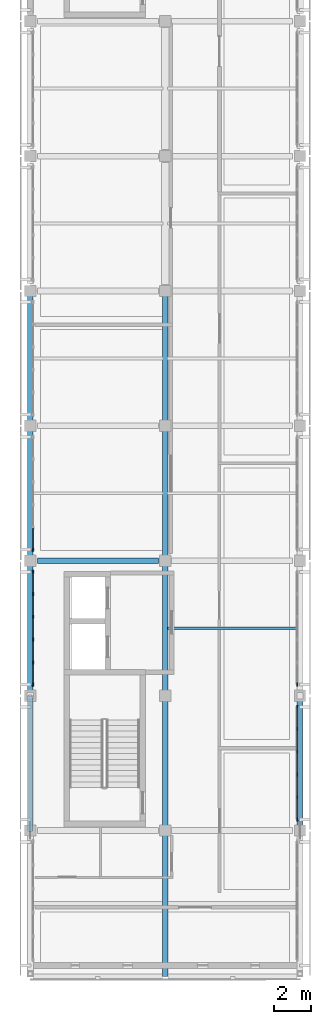
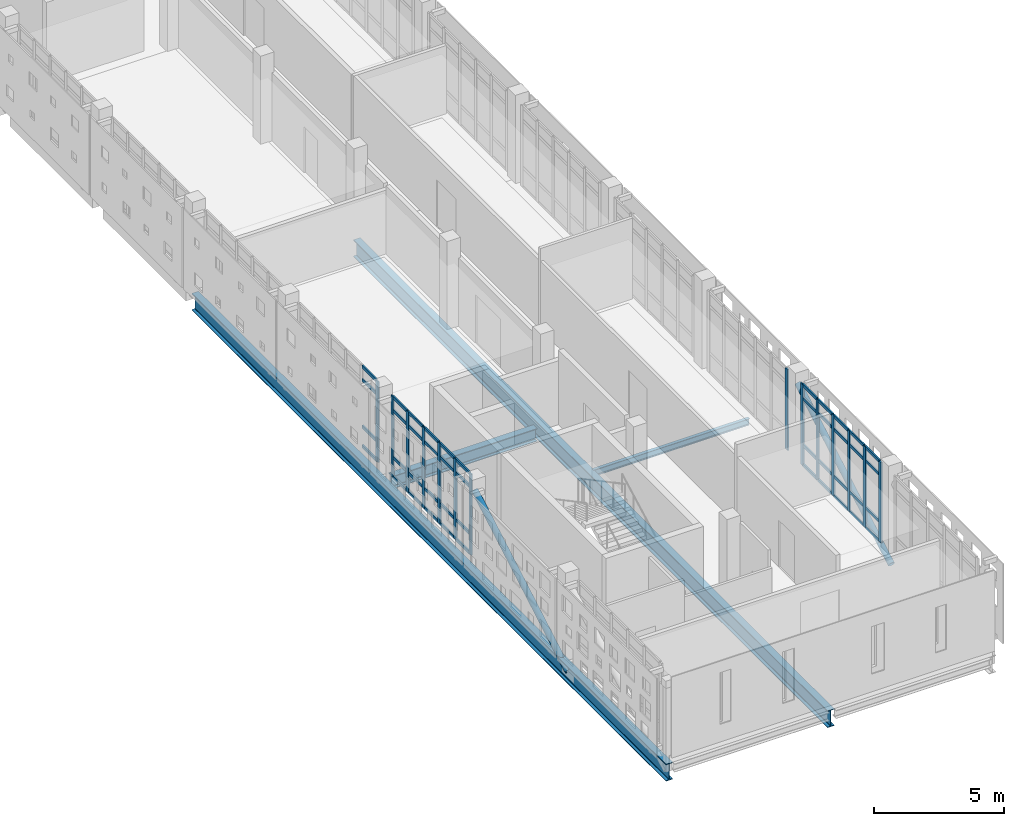
# One storey, part 3 of 21: 60 members, 4 beams, 4 elements without a shape of their own.
"""IFC4 building model written with IfcOpenShell, lengths in metres."""

from ifc_helpers import new_model, si_unit, direction, frame, origin, origin_2d, place, context, subcontext, project, spatial, rectangle, hollow_circle, i_section, extrude, material, layer, layer_set, material_profile, profile_set, type_object, element, aggregate, save


model = new_model("IFC4")

# Units and contexts
model_context = context("Model", 3, precision=1e-05, world=origin(), true_north=direction((0.0, 1.0)))
body_context = subcontext(model_context, "Body", "Model", "MODEL_VIEW")
ifc_project = project(units=[si_unit("LENGTHUNIT", "METRE"), si_unit("AREAUNIT", "SQUARE_METRE"), si_unit("VOLUMEUNIT", "CUBIC_METRE"), si_unit("PLANEANGLEUNIT", "RADIAN"), si_unit("MASSUNIT", "GRAM", prefix="KILO")], contexts=[model_context])

# Site, building, storey
site_placement = place(None, origin())
site = spatial("IfcSite", under=ifc_project, at=site_placement, CompositionType="ELEMENT")
building_placement = place(site_placement, origin())
building = spatial("IfcBuilding", under=site, at=building_placement, Name="Valkovuoma Quantum and Materials Research Institute", CompositionType="ELEMENT")
storey_placement = place(building_placement, frame((0.0, 0.0, 29.760009765625)))
storey = spatial("IfcBuildingStorey", under=building, at=storey_placement, Name="L07", CompositionType="ELEMENT", Elevation=29.760009765625)

# Beams
ifc_material_1 = material(Name="Steel S355J2", Category="steel")
ifc_material_profile_1 = material_profile(ifc_material_1, i_section(OverallWidth=0.300048828125, OverallDepth=0.60009765625, WebThickness=0.015380859375, FlangeThickness=0.030029296875, FilletRadius=0.027099609375, at=origin_2d()), Name="Steel S355J2")
ifc_profile_set_1 = profile_set([ifc_material_profile_1], Name="Steel S355J2")
beam_type_1 = type_object("IfcBeamType", Name="Beam-B-HEB600", PredefinedType="BEAM", material=ifc_profile_set_1)
beam_1_placement = place(storey_placement, frame((0.39990234375, 43.199951171875, -0.64990234375), z_axis=(1.0, 0.0, 0.0), x_axis=(0.0, 1.0, 0.0)))
element("IfcBeam", 1, at=beam_1_placement, inside=storey, type_object=beam_type_1, Name="L07 beam X-2494", PredefinedType="BEAM", context=body_context, shape_type="SweptSolid", body=[
    extrude(i_section(OverallWidth=0.300048828125, OverallDepth=0.60009765625, WebThickness=0.015380859375, FlangeThickness=0.030029296875, FilletRadius=0.027099609375, at=origin_2d()), origin(), (0.0, 0.0, 1.0), 6.4501953125),
])
ifc_material_2 = material(Name="Steel S355J2", Category="steel")
ifc_material_profile_2 = material_profile(ifc_material_2, i_section(OverallWidth=0.300048828125, OverallDepth=0.800048828125, WebThickness=0.017578125, FlangeThickness=0.032958984375, FilletRadius=0.030029296875, at=origin_2d()), Name="Steel S355J2")
ifc_profile_set_2 = profile_set([ifc_material_profile_2], Name="Steel S355J2")
beam_type_2 = type_object("IfcBeamType", Name="Beam-B-HEB800", PredefinedType="BEAM", material=ifc_profile_set_2)
for number, where, z_axis, x_axis, name in (
    (2, (0.0, 21.0, -0.75), (0.0, 1.0, 0.0), (-1.0, 0.0, 0.0), "L07 cantilever girder X0"),
    (3, (7.199951171875, 21.0, -0.75), (0.0, 1.0, 0.0), (-1.0, 0.0, 0.0), "L07 cantilever girder X1"),
):
    element("IfcBeam", number, at=place(storey_placement, frame(where, z_axis=z_axis, x_axis=x_axis)), inside=storey, type_object=beam_type_2, Name=name, PredefinedType="BEAM", context=body_context, shape_type="SweptSolid", body=[
        extrude(i_section(OverallWidth=0.300048828125, OverallDepth=0.800048828125, WebThickness=0.017578125, FlangeThickness=0.032958984375, FilletRadius=0.030029296875, at=origin_2d()), origin(), (0.0, 0.0, 1.0), 36.60009765625),
    ])
ifc_material_3 = material(Name="Steel S355J2", Category="steel")
ifc_material_profile_3 = material_profile(ifc_material_3, i_section(OverallWidth=0.14990234375, OverallDepth=0.300048828125, WebThickness=0.007080078125, FlangeThickness=0.0107421875, FilletRadius=0.014892578125, at=origin_2d()), Name="Steel S355J2")
ifc_profile_set_3 = profile_set([ifc_material_profile_3], Name="Steel S355J2")
beam_type_3 = type_object("IfcBeamType", Name="Beam-B-JST300", PredefinedType="JOIST", material=ifc_profile_set_3)
beam_2_placement = place(storey_placement, frame((7.320068359375, 39.60009765625, -0.5), z_axis=(1.0, 0.0, 0.0), x_axis=(0.0, 1.0, 0.0)))
element("IfcBeam", 4, at=beam_2_placement, inside=storey, type_object=beam_type_3, Name="L07 floor joist 2521", PredefinedType="JOIST", context=body_context, shape_type="SweptSolid", body=[
    extrude(i_section(OverallWidth=0.14990234375, OverallDepth=0.300048828125, WebThickness=0.007080078125, FlangeThickness=0.0107421875, FilletRadius=0.014892578125, at=origin_2d()), origin(), (0.0, 0.0, 1.0), 6.9599609375),
])

# Curtain wall, members
ifc_material_4 = material(Name="Thermally broken aluminium and triple low-E glazing", Category="aluminium")
ifc_layer = layer(ifc_material_4, 0.219970703125)
ifc_layer_set = layer_set([ifc_layer], Name="Thermally broken aluminium and triple low-E glazing")
curtain_wall_type = type_object("IfcCurtainWallType", Name="CW-CW-01", PredefinedType="NOTDEFINED", material=ifc_layer_set)
curtain_wall_1_placement = place(storey_placement, origin())
curtain_wall_1 = element("IfcCurtainWall", 5, at=curtain_wall_1_placement, inside=storey, type_object=curtain_wall_type, Name="L07 curtain wall 093", PredefinedType="NOTDEFINED")
ifc_material_5 = material(Name="Anodised aluminium 6060-T66", Category="aluminium")
ifc_material_profile_4 = material_profile(ifc_material_5, rectangle(XDim=0.06494140625, YDim=0.179931640625, at=origin_2d()), Name="Anodised aluminium 6060-T66")
ifc_profile_set_4 = profile_set([ifc_material_profile_4], Name="Anodised aluminium 6060-T66")
member_type_1 = type_object("IfcMemberType", Name="CWMull-CWM-01", PredefinedType="MULLION", material=ifc_profile_set_4)
member_1_placement = place(storey_placement, frame((14.25, 29.3896484375, 0.0), z_axis=(0.0, 0.0, 1.0), x_axis=(-1.0, 0.0, 0.0)))
member_1 = element("IfcMember", 6, at=member_1_placement, type_object=member_type_1, Name="CW-01 mullion 1", PredefinedType="MULLION", context=body_context, shape_type="SweptSolid", body=[
    extrude(rectangle(XDim=0.06494140625, YDim=0.179931640625, at=origin_2d()), origin(), (0.0, 0.0, 1.0), 3.81005859375),
])
member_2_placement = place(storey_placement, frame((14.25, 30.57421875, 0.0), z_axis=(0.0, 0.0, 1.0), x_axis=(-1.0, 0.0, 0.0)))
member_2 = element("IfcMember", 7, at=member_2_placement, type_object=member_type_1, Name="CW-01 mullion 2", PredefinedType="MULLION", context=body_context, shape_type="SweptSolid", body=[
    extrude(rectangle(XDim=0.06494140625, YDim=0.179931640625, at=origin_2d()), origin(), (0.0, 0.0, 1.0), 3.81005859375),
])
member_3_placement = place(storey_placement, frame((14.25, 31.79150390625, 0.0), z_axis=(0.0, 0.0, 1.0), x_axis=(-1.0, 0.0, 0.0)))
member_3 = element("IfcMember", 8, at=member_3_placement, type_object=member_type_1, Name="CW-01 mullion 3", PredefinedType="MULLION", context=body_context, shape_type="SweptSolid", body=[
    extrude(rectangle(XDim=0.06494140625, YDim=0.179931640625, at=origin_2d()), origin(), (0.0, 0.0, 1.0), 3.81005859375),
])
member_4_placement = place(storey_placement, frame((14.25, 33.008544921875, 0.0), z_axis=(0.0, 0.0, 1.0), x_axis=(-1.0, 0.0, 0.0)))
member_4 = element("IfcMember", 9, at=member_4_placement, type_object=member_type_1, Name="CW-01 mullion 4", PredefinedType="MULLION", context=body_context, shape_type="SweptSolid", body=[
    extrude(rectangle(XDim=0.06494140625, YDim=0.179931640625, at=origin_2d()), origin(), (0.0, 0.0, 1.0), 3.81005859375),
])
member_5_placement = place(storey_placement, frame((14.25, 34.225830078125, 0.0), z_axis=(0.0, 0.0, 1.0), x_axis=(-1.0, 0.0, 0.0)))
member_5 = element("IfcMember", 10, at=member_5_placement, type_object=member_type_1, Name="CW-01 mullion 5", PredefinedType="MULLION", context=body_context, shape_type="SweptSolid", body=[
    extrude(rectangle(XDim=0.06494140625, YDim=0.179931640625, at=origin_2d()), origin(), (0.0, 0.0, 1.0), 3.81005859375),
])
member_6_placement = place(storey_placement, frame((14.25, 35.410400390625, 0.0), z_axis=(0.0, 0.0, 1.0), x_axis=(-1.0, 0.0, 0.0)))
member_6 = element("IfcMember", 11, at=member_6_placement, type_object=member_type_1, Name="CW-01 mullion 6", PredefinedType="MULLION", context=body_context, shape_type="SweptSolid", body=[
    extrude(rectangle(XDim=0.06494140625, YDim=0.179931640625, at=origin_2d()), origin(), (0.0, 0.0, 1.0), 3.81005859375),
])

curtain_wall_2_placement = place(storey_placement, origin())
curtain_wall_2 = element("IfcCurtainWall", 12, at=curtain_wall_2_placement, inside=storey, type_object=curtain_wall_type, Name="L07 curtain wall 094", PredefinedType="NOTDEFINED")
member_7_placement = place(storey_placement, frame((0.14990234375, 36.589599609375, 0.0), z_axis=(0.0, 0.0, 1.0), x_axis=(-1.0, 0.0, 0.0)))
member_7 = element("IfcMember", 13, at=member_7_placement, type_object=member_type_1, Name="CW-01 mullion 1", PredefinedType="MULLION", context=body_context, shape_type="SweptSolid", body=[
    extrude(rectangle(XDim=0.06494140625, YDim=0.179931640625, at=origin_2d()), origin(), (0.0, 0.0, 1.0), 3.81005859375),
])
member_8_placement = place(storey_placement, frame((0.14990234375, 37.774169921875, 0.0), z_axis=(0.0, 0.0, 1.0), x_axis=(-1.0, 0.0, 0.0)))
member_8 = element("IfcMember", 14, at=member_8_placement, type_object=member_type_1, Name="CW-01 mullion 2", PredefinedType="MULLION", context=body_context, shape_type="SweptSolid", body=[
    extrude(rectangle(XDim=0.06494140625, YDim=0.179931640625, at=origin_2d()), origin(), (0.0, 0.0, 1.0), 3.81005859375),
])
member_9_placement = place(storey_placement, frame((0.14990234375, 38.991455078125, 0.0), z_axis=(0.0, 0.0, 1.0), x_axis=(-1.0, 0.0, 0.0)))
member_9 = element("IfcMember", 15, at=member_9_placement, type_object=member_type_1, Name="CW-01 mullion 3", PredefinedType="MULLION", context=body_context, shape_type="SweptSolid", body=[
    extrude(rectangle(XDim=0.06494140625, YDim=0.179931640625, at=origin_2d()), origin(), (0.0, 0.0, 1.0), 3.81005859375),
])
member_10_placement = place(storey_placement, frame((0.14990234375, 40.20849609375, 0.0), z_axis=(0.0, 0.0, 1.0), x_axis=(-1.0, 0.0, 0.0)))
member_10 = element("IfcMember", 16, at=member_10_placement, type_object=member_type_1, Name="CW-01 mullion 4", PredefinedType="MULLION", context=body_context, shape_type="SweptSolid", body=[
    extrude(rectangle(XDim=0.06494140625, YDim=0.179931640625, at=origin_2d()), origin(), (0.0, 0.0, 1.0), 3.81005859375),
])
member_11_placement = place(storey_placement, frame((0.14990234375, 41.42578125, 0.0), z_axis=(0.0, 0.0, 1.0), x_axis=(-1.0, 0.0, 0.0)))
member_11 = element("IfcMember", 17, at=member_11_placement, type_object=member_type_1, Name="CW-01 mullion 5", PredefinedType="MULLION", context=body_context, shape_type="SweptSolid", body=[
    extrude(rectangle(XDim=0.06494140625, YDim=0.179931640625, at=origin_2d()), origin(), (0.0, 0.0, 1.0), 3.81005859375),
])
member_12_placement = place(storey_placement, frame((0.14990234375, 42.6103515625, 0.0), z_axis=(0.0, 0.0, 1.0), x_axis=(-1.0, 0.0, 0.0)))
member_12 = element("IfcMember", 18, at=member_12_placement, type_object=member_type_1, Name="CW-01 mullion 6", PredefinedType="MULLION", context=body_context, shape_type="SweptSolid", body=[
    extrude(rectangle(XDim=0.06494140625, YDim=0.179931640625, at=origin_2d()), origin(), (0.0, 0.0, 1.0), 3.81005859375),
])

# Curtain wall, member
curtain_wall_3_placement = place(storey_placement, origin())
curtain_wall_3 = element("IfcCurtainWall", 19, at=curtain_wall_3_placement, inside=storey, type_object=curtain_wall_type, Name="L07 curtain wall 095", PredefinedType="NOTDEFINED")
member_13_placement = place(storey_placement, frame((14.25, 36.589599609375, 0.0), z_axis=(0.0, 0.0, 1.0), x_axis=(-1.0, 0.0, 0.0)))
member_13 = element("IfcMember", 20, at=member_13_placement, type_object=member_type_1, Name="CW-01 mullion 1", PredefinedType="MULLION", context=body_context, shape_type="SweptSolid", body=[
    extrude(rectangle(XDim=0.06494140625, YDim=0.179931640625, at=origin_2d()), origin(), (0.0, 0.0, 1.0), 3.81005859375),
])
aggregate(curtain_wall_3, [member_13])

curtain_wall_4_placement = place(storey_placement, origin())
curtain_wall_4 = element("IfcCurtainWall", 21, at=curtain_wall_4_placement, inside=storey, type_object=curtain_wall_type, Name="L07 curtain wall 096", PredefinedType="NOTDEFINED")
member_14_placement = place(storey_placement, frame((0.14990234375, 43.78955078125, 0.0), z_axis=(0.0, 0.0, 1.0), x_axis=(-1.0, 0.0, 0.0)))
member_14 = element("IfcMember", 22, at=member_14_placement, type_object=member_type_1, Name="CW-01 mullion 1", PredefinedType="MULLION", context=body_context, shape_type="SweptSolid", body=[
    extrude(rectangle(XDim=0.06494140625, YDim=0.179931640625, at=origin_2d()), origin(), (0.0, 0.0, 1.0), 3.81005859375),
])

# Member
ifc_material_6 = material(Name="Anodised aluminium 6060-T66", Category="aluminium")
ifc_material_profile_5 = material_profile(ifc_material_6, rectangle(XDim=0.06494140625, YDim=0.139892578125, at=origin_2d()), Name="Anodised aluminium 6060-T66")
ifc_profile_set_5 = profile_set([ifc_material_profile_5], Name="Anodised aluminium 6060-T66")
member_type_2 = type_object("IfcMemberType", Name="CWTran-CWT-01", PredefinedType="USERDEFINED", material=ifc_profile_set_5)
member_15_placement = place(storey_placement, frame((14.25, 29.422119140625, 0.032470703125), z_axis=(0.0, 1.0, 0.0), x_axis=(-1.0, 0.0, 0.0)))
member_15 = element("IfcMember", 23, at=member_15_placement, type_object=member_type_2, Name="CW-01 transom 1.1", ObjectType="TRANSOM", PredefinedType="USERDEFINED", context=body_context, shape_type="SweptSolid", body=[
    extrude(rectangle(XDim=0.06494140625, YDim=0.139892578125, at=origin_2d()), origin(), (0.0, 0.0, 1.0), 1.11962890625),
])

member_16_placement = place(storey_placement, frame((14.25, 29.422119140625, 0.949951171875), z_axis=(0.0, 1.0, 0.0), x_axis=(-1.0, 0.0, 0.0)))
member_16 = element("IfcMember", 24, at=member_16_placement, type_object=member_type_2, Name="CW-01 transom 1.2", ObjectType="TRANSOM", PredefinedType="USERDEFINED", context=body_context, shape_type="SweptSolid", body=[
    extrude(rectangle(XDim=0.06494140625, YDim=0.139892578125, at=origin_2d()), origin(), (0.0, 0.0, 1.0), 1.11962890625),
])

member_17_placement = place(storey_placement, frame((14.25, 29.422119140625, 3.159912109375), z_axis=(0.0, 1.0, 0.0), x_axis=(-1.0, 0.0, 0.0)))
member_17 = element("IfcMember", 25, at=member_17_placement, type_object=member_type_2, Name="CW-01 transom 1.3", ObjectType="TRANSOM", PredefinedType="USERDEFINED", context=body_context, shape_type="SweptSolid", body=[
    extrude(rectangle(XDim=0.06494140625, YDim=0.139892578125, at=origin_2d()), origin(), (0.0, 0.0, 1.0), 1.11962890625),
])

member_18_placement = place(storey_placement, frame((14.25, 29.422119140625, 3.777587890625), z_axis=(0.0, 1.0, 0.0), x_axis=(-1.0, 0.0, 0.0)))
member_18 = element("IfcMember", 26, at=member_18_placement, type_object=member_type_2, Name="CW-01 transom 1.4", ObjectType="TRANSOM", PredefinedType="USERDEFINED", context=body_context, shape_type="SweptSolid", body=[
    extrude(rectangle(XDim=0.06494140625, YDim=0.139892578125, at=origin_2d()), origin(), (0.0, 0.0, 1.0), 1.11962890625),
])

member_19_placement = place(storey_placement, frame((14.25, 30.606689453125, 0.032470703125), z_axis=(0.0, 1.0, 0.0), x_axis=(-1.0, 0.0, 0.0)))
member_19 = element("IfcMember", 27, at=member_19_placement, type_object=member_type_2, Name="CW-01 transom 2.1", ObjectType="TRANSOM", PredefinedType="USERDEFINED", context=body_context, shape_type="SweptSolid", body=[
    extrude(rectangle(XDim=0.06494140625, YDim=0.139892578125, at=origin_2d()), origin(), (0.0, 0.0, 1.0), 1.15234375),
])

member_20_placement = place(storey_placement, frame((14.25, 30.606689453125, 0.949951171875), z_axis=(0.0, 1.0, 0.0), x_axis=(-1.0, 0.0, 0.0)))
member_20 = element("IfcMember", 28, at=member_20_placement, type_object=member_type_2, Name="CW-01 transom 2.2", ObjectType="TRANSOM", PredefinedType="USERDEFINED", context=body_context, shape_type="SweptSolid", body=[
    extrude(rectangle(XDim=0.06494140625, YDim=0.139892578125, at=origin_2d()), origin(), (0.0, 0.0, 1.0), 1.15234375),
])

member_21_placement = place(storey_placement, frame((14.25, 30.606689453125, 3.159912109375), z_axis=(0.0, 1.0, 0.0), x_axis=(-1.0, 0.0, 0.0)))
member_21 = element("IfcMember", 29, at=member_21_placement, type_object=member_type_2, Name="CW-01 transom 2.3", ObjectType="TRANSOM", PredefinedType="USERDEFINED", context=body_context, shape_type="SweptSolid", body=[
    extrude(rectangle(XDim=0.06494140625, YDim=0.139892578125, at=origin_2d()), origin(), (0.0, 0.0, 1.0), 1.15234375),
])

member_22_placement = place(storey_placement, frame((14.25, 30.606689453125, 3.777587890625), z_axis=(0.0, 1.0, 0.0), x_axis=(-1.0, 0.0, 0.0)))
member_22 = element("IfcMember", 30, at=member_22_placement, type_object=member_type_2, Name="CW-01 transom 2.4", ObjectType="TRANSOM", PredefinedType="USERDEFINED", context=body_context, shape_type="SweptSolid", body=[
    extrude(rectangle(XDim=0.06494140625, YDim=0.139892578125, at=origin_2d()), origin(), (0.0, 0.0, 1.0), 1.15234375),
])

member_23_placement = place(storey_placement, frame((14.25, 31.823974609375, 0.032470703125), z_axis=(0.0, 1.0, 0.0), x_axis=(-1.0, 0.0, 0.0)))
member_23 = element("IfcMember", 31, at=member_23_placement, type_object=member_type_2, Name="CW-01 transom 3.1", ObjectType="TRANSOM", PredefinedType="USERDEFINED", context=body_context, shape_type="SweptSolid", body=[
    extrude(rectangle(XDim=0.06494140625, YDim=0.139892578125, at=origin_2d()), origin(), (0.0, 0.0, 1.0), 1.152099609375),
])

member_24_placement = place(storey_placement, frame((14.25, 31.823974609375, 0.949951171875), z_axis=(0.0, 1.0, 0.0), x_axis=(-1.0, 0.0, 0.0)))
member_24 = element("IfcMember", 32, at=member_24_placement, type_object=member_type_2, Name="CW-01 transom 3.2", ObjectType="TRANSOM", PredefinedType="USERDEFINED", context=body_context, shape_type="SweptSolid", body=[
    extrude(rectangle(XDim=0.06494140625, YDim=0.139892578125, at=origin_2d()), origin(), (0.0, 0.0, 1.0), 1.152099609375),
])

member_25_placement = place(storey_placement, frame((14.25, 31.823974609375, 3.159912109375), z_axis=(0.0, 1.0, 0.0), x_axis=(-1.0, 0.0, 0.0)))
member_25 = element("IfcMember", 33, at=member_25_placement, type_object=member_type_2, Name="CW-01 transom 3.3", ObjectType="TRANSOM", PredefinedType="USERDEFINED", context=body_context, shape_type="SweptSolid", body=[
    extrude(rectangle(XDim=0.06494140625, YDim=0.139892578125, at=origin_2d()), origin(), (0.0, 0.0, 1.0), 1.152099609375),
])

member_26_placement = place(storey_placement, frame((14.25, 31.823974609375, 3.777587890625), z_axis=(0.0, 1.0, 0.0), x_axis=(-1.0, 0.0, 0.0)))
member_26 = element("IfcMember", 34, at=member_26_placement, type_object=member_type_2, Name="CW-01 transom 3.4", ObjectType="TRANSOM", PredefinedType="USERDEFINED", context=body_context, shape_type="SweptSolid", body=[
    extrude(rectangle(XDim=0.06494140625, YDim=0.139892578125, at=origin_2d()), origin(), (0.0, 0.0, 1.0), 1.152099609375),
])

member_27_placement = place(storey_placement, frame((14.25, 33.041015625, 0.032470703125), z_axis=(0.0, 1.0, 0.0), x_axis=(-1.0, 0.0, 0.0)))
member_27 = element("IfcMember", 35, at=member_27_placement, type_object=member_type_2, Name="CW-01 transom 4.1", ObjectType="TRANSOM", PredefinedType="USERDEFINED", context=body_context, shape_type="SweptSolid", body=[
    extrude(rectangle(XDim=0.06494140625, YDim=0.139892578125, at=origin_2d()), origin(), (0.0, 0.0, 1.0), 1.15234375),
])

member_28_placement = place(storey_placement, frame((14.25, 33.041015625, 0.949951171875), z_axis=(0.0, 1.0, 0.0), x_axis=(-1.0, 0.0, 0.0)))
member_28 = element("IfcMember", 36, at=member_28_placement, type_object=member_type_2, Name="CW-01 transom 4.2", ObjectType="TRANSOM", PredefinedType="USERDEFINED", context=body_context, shape_type="SweptSolid", body=[
    extrude(rectangle(XDim=0.06494140625, YDim=0.139892578125, at=origin_2d()), origin(), (0.0, 0.0, 1.0), 1.15234375),
])

member_29_placement = place(storey_placement, frame((14.25, 33.041015625, 3.159912109375), z_axis=(0.0, 1.0, 0.0), x_axis=(-1.0, 0.0, 0.0)))
member_29 = element("IfcMember", 37, at=member_29_placement, type_object=member_type_2, Name="CW-01 transom 4.3", ObjectType="TRANSOM", PredefinedType="USERDEFINED", context=body_context, shape_type="SweptSolid", body=[
    extrude(rectangle(XDim=0.06494140625, YDim=0.139892578125, at=origin_2d()), origin(), (0.0, 0.0, 1.0), 1.15234375),
])

member_30_placement = place(storey_placement, frame((14.25, 33.041015625, 3.777587890625), z_axis=(0.0, 1.0, 0.0), x_axis=(-1.0, 0.0, 0.0)))
member_30 = element("IfcMember", 38, at=member_30_placement, type_object=member_type_2, Name="CW-01 transom 4.4", ObjectType="TRANSOM", PredefinedType="USERDEFINED", context=body_context, shape_type="SweptSolid", body=[
    extrude(rectangle(XDim=0.06494140625, YDim=0.139892578125, at=origin_2d()), origin(), (0.0, 0.0, 1.0), 1.15234375),
])

member_31_placement = place(storey_placement, frame((14.25, 34.25830078125, 0.032470703125), z_axis=(0.0, 1.0, 0.0), x_axis=(-1.0, 0.0, 0.0)))
member_31 = element("IfcMember", 39, at=member_31_placement, type_object=member_type_2, Name="CW-01 transom 5.1", ObjectType="TRANSOM", PredefinedType="USERDEFINED", context=body_context, shape_type="SweptSolid", body=[
    extrude(rectangle(XDim=0.06494140625, YDim=0.139892578125, at=origin_2d()), origin(), (0.0, 0.0, 1.0), 1.11962890625),
])

member_32_placement = place(storey_placement, frame((14.25, 34.25830078125, 0.949951171875), z_axis=(0.0, 1.0, 0.0), x_axis=(-1.0, 0.0, 0.0)))
member_32 = element("IfcMember", 40, at=member_32_placement, type_object=member_type_2, Name="CW-01 transom 5.2", ObjectType="TRANSOM", PredefinedType="USERDEFINED", context=body_context, shape_type="SweptSolid", body=[
    extrude(rectangle(XDim=0.06494140625, YDim=0.139892578125, at=origin_2d()), origin(), (0.0, 0.0, 1.0), 1.11962890625),
])

member_33_placement = place(storey_placement, frame((14.25, 34.25830078125, 3.159912109375), z_axis=(0.0, 1.0, 0.0), x_axis=(-1.0, 0.0, 0.0)))
member_33 = element("IfcMember", 41, at=member_33_placement, type_object=member_type_2, Name="CW-01 transom 5.3", ObjectType="TRANSOM", PredefinedType="USERDEFINED", context=body_context, shape_type="SweptSolid", body=[
    extrude(rectangle(XDim=0.06494140625, YDim=0.139892578125, at=origin_2d()), origin(), (0.0, 0.0, 1.0), 1.11962890625),
])

member_34_placement = place(storey_placement, frame((14.25, 34.25830078125, 3.777587890625), z_axis=(0.0, 1.0, 0.0), x_axis=(-1.0, 0.0, 0.0)))
member_34 = element("IfcMember", 42, at=member_34_placement, type_object=member_type_2, Name="CW-01 transom 5.4", ObjectType="TRANSOM", PredefinedType="USERDEFINED", context=body_context, shape_type="SweptSolid", body=[
    extrude(rectangle(XDim=0.06494140625, YDim=0.139892578125, at=origin_2d()), origin(), (0.0, 0.0, 1.0), 1.11962890625),
])

aggregate(curtain_wall_1, [member_1, member_2, member_3, member_4, member_5, member_6, member_15, member_16, member_17, member_18, member_19, member_20, member_21, member_22, member_23, member_24, member_25, member_26, member_27, member_28, member_29, member_30, member_31, member_32, member_33, member_34])

member_35_placement = place(storey_placement, frame((0.14990234375, 36.6220703125, 0.032470703125), z_axis=(0.0, 1.0, 0.0), x_axis=(-1.0, 0.0, 0.0)))
member_35 = element("IfcMember", 43, at=member_35_placement, type_object=member_type_2, Name="CW-01 transom 1.1", ObjectType="TRANSOM", PredefinedType="USERDEFINED", context=body_context, shape_type="SweptSolid", body=[
    extrude(rectangle(XDim=0.06494140625, YDim=0.139892578125, at=origin_2d()), origin(), (0.0, 0.0, 1.0), 1.11962890625),
])

member_36_placement = place(storey_placement, frame((0.14990234375, 36.6220703125, 0.949951171875), z_axis=(0.0, 1.0, 0.0), x_axis=(-1.0, 0.0, 0.0)))
member_36 = element("IfcMember", 44, at=member_36_placement, type_object=member_type_2, Name="CW-01 transom 1.2", ObjectType="TRANSOM", PredefinedType="USERDEFINED", context=body_context, shape_type="SweptSolid", body=[
    extrude(rectangle(XDim=0.06494140625, YDim=0.139892578125, at=origin_2d()), origin(), (0.0, 0.0, 1.0), 1.11962890625),
])

member_37_placement = place(storey_placement, frame((0.14990234375, 36.6220703125, 3.159912109375), z_axis=(0.0, 1.0, 0.0), x_axis=(-1.0, 0.0, 0.0)))
member_37 = element("IfcMember", 45, at=member_37_placement, type_object=member_type_2, Name="CW-01 transom 1.3", ObjectType="TRANSOM", PredefinedType="USERDEFINED", context=body_context, shape_type="SweptSolid", body=[
    extrude(rectangle(XDim=0.06494140625, YDim=0.139892578125, at=origin_2d()), origin(), (0.0, 0.0, 1.0), 1.11962890625),
])

member_38_placement = place(storey_placement, frame((0.14990234375, 36.6220703125, 3.777587890625), z_axis=(0.0, 1.0, 0.0), x_axis=(-1.0, 0.0, 0.0)))
member_38 = element("IfcMember", 46, at=member_38_placement, type_object=member_type_2, Name="CW-01 transom 1.4", ObjectType="TRANSOM", PredefinedType="USERDEFINED", context=body_context, shape_type="SweptSolid", body=[
    extrude(rectangle(XDim=0.06494140625, YDim=0.139892578125, at=origin_2d()), origin(), (0.0, 0.0, 1.0), 1.11962890625),
])

member_39_placement = place(storey_placement, frame((0.14990234375, 37.806640625, 0.032470703125), z_axis=(0.0, 1.0, 0.0), x_axis=(-1.0, 0.0, 0.0)))
member_39 = element("IfcMember", 47, at=member_39_placement, type_object=member_type_2, Name="CW-01 transom 2.1", ObjectType="TRANSOM", PredefinedType="USERDEFINED", context=body_context, shape_type="SweptSolid", body=[
    extrude(rectangle(XDim=0.06494140625, YDim=0.139892578125, at=origin_2d()), origin(), (0.0, 0.0, 1.0), 1.15234375),
])

member_40_placement = place(storey_placement, frame((0.14990234375, 37.806640625, 0.949951171875), z_axis=(0.0, 1.0, 0.0), x_axis=(-1.0, 0.0, 0.0)))
member_40 = element("IfcMember", 48, at=member_40_placement, type_object=member_type_2, Name="CW-01 transom 2.2", ObjectType="TRANSOM", PredefinedType="USERDEFINED", context=body_context, shape_type="SweptSolid", body=[
    extrude(rectangle(XDim=0.06494140625, YDim=0.139892578125, at=origin_2d()), origin(), (0.0, 0.0, 1.0), 1.15234375),
])

member_41_placement = place(storey_placement, frame((0.14990234375, 37.806640625, 3.159912109375), z_axis=(0.0, 1.0, 0.0), x_axis=(-1.0, 0.0, 0.0)))
member_41 = element("IfcMember", 49, at=member_41_placement, type_object=member_type_2, Name="CW-01 transom 2.3", ObjectType="TRANSOM", PredefinedType="USERDEFINED", context=body_context, shape_type="SweptSolid", body=[
    extrude(rectangle(XDim=0.06494140625, YDim=0.139892578125, at=origin_2d()), origin(), (0.0, 0.0, 1.0), 1.15234375),
])

member_42_placement = place(storey_placement, frame((0.14990234375, 37.806640625, 3.777587890625), z_axis=(0.0, 1.0, 0.0), x_axis=(-1.0, 0.0, 0.0)))
member_42 = element("IfcMember", 50, at=member_42_placement, type_object=member_type_2, Name="CW-01 transom 2.4", ObjectType="TRANSOM", PredefinedType="USERDEFINED", context=body_context, shape_type="SweptSolid", body=[
    extrude(rectangle(XDim=0.06494140625, YDim=0.139892578125, at=origin_2d()), origin(), (0.0, 0.0, 1.0), 1.15234375),
])

member_43_placement = place(storey_placement, frame((0.14990234375, 39.02392578125, 0.032470703125), z_axis=(0.0, 1.0, 0.0), x_axis=(-1.0, 0.0, 0.0)))
member_43 = element("IfcMember", 51, at=member_43_placement, type_object=member_type_2, Name="CW-01 transom 3.1", ObjectType="TRANSOM", PredefinedType="USERDEFINED", context=body_context, shape_type="SweptSolid", body=[
    extrude(rectangle(XDim=0.06494140625, YDim=0.139892578125, at=origin_2d()), origin(), (0.0, 0.0, 1.0), 1.152099609375),
])

member_44_placement = place(storey_placement, frame((0.14990234375, 39.02392578125, 0.949951171875), z_axis=(0.0, 1.0, 0.0), x_axis=(-1.0, 0.0, 0.0)))
member_44 = element("IfcMember", 52, at=member_44_placement, type_object=member_type_2, Name="CW-01 transom 3.2", ObjectType="TRANSOM", PredefinedType="USERDEFINED", context=body_context, shape_type="SweptSolid", body=[
    extrude(rectangle(XDim=0.06494140625, YDim=0.139892578125, at=origin_2d()), origin(), (0.0, 0.0, 1.0), 1.152099609375),
])

member_45_placement = place(storey_placement, frame((0.14990234375, 39.02392578125, 3.159912109375), z_axis=(0.0, 1.0, 0.0), x_axis=(-1.0, 0.0, 0.0)))
member_45 = element("IfcMember", 53, at=member_45_placement, type_object=member_type_2, Name="CW-01 transom 3.3", ObjectType="TRANSOM", PredefinedType="USERDEFINED", context=body_context, shape_type="SweptSolid", body=[
    extrude(rectangle(XDim=0.06494140625, YDim=0.139892578125, at=origin_2d()), origin(), (0.0, 0.0, 1.0), 1.152099609375),
])

member_46_placement = place(storey_placement, frame((0.14990234375, 39.02392578125, 3.777587890625), z_axis=(0.0, 1.0, 0.0), x_axis=(-1.0, 0.0, 0.0)))
member_46 = element("IfcMember", 54, at=member_46_placement, type_object=member_type_2, Name="CW-01 transom 3.4", ObjectType="TRANSOM", PredefinedType="USERDEFINED", context=body_context, shape_type="SweptSolid", body=[
    extrude(rectangle(XDim=0.06494140625, YDim=0.139892578125, at=origin_2d()), origin(), (0.0, 0.0, 1.0), 1.152099609375),
])

member_47_placement = place(storey_placement, frame((0.14990234375, 40.240966796875, 0.032470703125), z_axis=(0.0, 1.0, 0.0), x_axis=(-1.0, 0.0, 0.0)))
member_47 = element("IfcMember", 55, at=member_47_placement, type_object=member_type_2, Name="CW-01 transom 4.1", ObjectType="TRANSOM", PredefinedType="USERDEFINED", context=body_context, shape_type="SweptSolid", body=[
    extrude(rectangle(XDim=0.06494140625, YDim=0.139892578125, at=origin_2d()), origin(), (0.0, 0.0, 1.0), 1.15234375),
])

member_48_placement = place(storey_placement, frame((0.14990234375, 40.240966796875, 0.949951171875), z_axis=(0.0, 1.0, 0.0), x_axis=(-1.0, 0.0, 0.0)))
member_48 = element("IfcMember", 56, at=member_48_placement, type_object=member_type_2, Name="CW-01 transom 4.2", ObjectType="TRANSOM", PredefinedType="USERDEFINED", context=body_context, shape_type="SweptSolid", body=[
    extrude(rectangle(XDim=0.06494140625, YDim=0.139892578125, at=origin_2d()), origin(), (0.0, 0.0, 1.0), 1.15234375),
])

member_49_placement = place(storey_placement, frame((0.14990234375, 40.240966796875, 3.159912109375), z_axis=(0.0, 1.0, 0.0), x_axis=(-1.0, 0.0, 0.0)))
member_49 = element("IfcMember", 57, at=member_49_placement, type_object=member_type_2, Name="CW-01 transom 4.3", ObjectType="TRANSOM", PredefinedType="USERDEFINED", context=body_context, shape_type="SweptSolid", body=[
    extrude(rectangle(XDim=0.06494140625, YDim=0.139892578125, at=origin_2d()), origin(), (0.0, 0.0, 1.0), 1.15234375),
])

member_50_placement = place(storey_placement, frame((0.14990234375, 40.240966796875, 3.777587890625), z_axis=(0.0, 1.0, 0.0), x_axis=(-1.0, 0.0, 0.0)))
member_50 = element("IfcMember", 58, at=member_50_placement, type_object=member_type_2, Name="CW-01 transom 4.4", ObjectType="TRANSOM", PredefinedType="USERDEFINED", context=body_context, shape_type="SweptSolid", body=[
    extrude(rectangle(XDim=0.06494140625, YDim=0.139892578125, at=origin_2d()), origin(), (0.0, 0.0, 1.0), 1.15234375),
])

member_51_placement = place(storey_placement, frame((0.14990234375, 41.458251953125, 0.032470703125), z_axis=(0.0, 1.0, 0.0), x_axis=(-1.0, 0.0, 0.0)))
member_51 = element("IfcMember", 59, at=member_51_placement, type_object=member_type_2, Name="CW-01 transom 5.1", ObjectType="TRANSOM", PredefinedType="USERDEFINED", context=body_context, shape_type="SweptSolid", body=[
    extrude(rectangle(XDim=0.06494140625, YDim=0.139892578125, at=origin_2d()), origin(), (0.0, 0.0, 1.0), 1.11962890625),
])

member_52_placement = place(storey_placement, frame((0.14990234375, 41.458251953125, 0.949951171875), z_axis=(0.0, 1.0, 0.0), x_axis=(-1.0, 0.0, 0.0)))
member_52 = element("IfcMember", 60, at=member_52_placement, type_object=member_type_2, Name="CW-01 transom 5.2", ObjectType="TRANSOM", PredefinedType="USERDEFINED", context=body_context, shape_type="SweptSolid", body=[
    extrude(rectangle(XDim=0.06494140625, YDim=0.139892578125, at=origin_2d()), origin(), (0.0, 0.0, 1.0), 1.11962890625),
])

member_53_placement = place(storey_placement, frame((0.14990234375, 41.458251953125, 3.159912109375), z_axis=(0.0, 1.0, 0.0), x_axis=(-1.0, 0.0, 0.0)))
member_53 = element("IfcMember", 61, at=member_53_placement, type_object=member_type_2, Name="CW-01 transom 5.3", ObjectType="TRANSOM", PredefinedType="USERDEFINED", context=body_context, shape_type="SweptSolid", body=[
    extrude(rectangle(XDim=0.06494140625, YDim=0.139892578125, at=origin_2d()), origin(), (0.0, 0.0, 1.0), 1.11962890625),
])

member_54_placement = place(storey_placement, frame((0.14990234375, 41.458251953125, 3.777587890625), z_axis=(0.0, 1.0, 0.0), x_axis=(-1.0, 0.0, 0.0)))
member_54 = element("IfcMember", 62, at=member_54_placement, type_object=member_type_2, Name="CW-01 transom 5.4", ObjectType="TRANSOM", PredefinedType="USERDEFINED", context=body_context, shape_type="SweptSolid", body=[
    extrude(rectangle(XDim=0.06494140625, YDim=0.139892578125, at=origin_2d()), origin(), (0.0, 0.0, 1.0), 1.11962890625),
])

aggregate(curtain_wall_2, [member_7, member_8, member_9, member_10, member_11, member_12, member_35, member_36, member_37, member_38, member_39, member_40, member_41, member_42, member_43, member_44, member_45, member_46, member_47, member_48, member_49, member_50, member_51, member_52, member_53, member_54])

member_55_placement = place(storey_placement, frame((0.14990234375, 43.822021484375, 0.032470703125), z_axis=(0.0, 1.0, 0.0), x_axis=(-1.0, 0.0, 0.0)))
member_55 = element("IfcMember", 63, at=member_55_placement, type_object=member_type_2, Name="CW-01 transom 1.1", ObjectType="TRANSOM", PredefinedType="USERDEFINED", context=body_context, shape_type="SweptSolid", body=[
    extrude(rectangle(XDim=0.06494140625, YDim=0.139892578125, at=origin_2d()), origin(), (0.0, 0.0, 1.0), 1.11962890625),
])

member_56_placement = place(storey_placement, frame((0.14990234375, 43.822021484375, 0.949951171875), z_axis=(0.0, 1.0, 0.0), x_axis=(-1.0, 0.0, 0.0)))
member_56 = element("IfcMember", 64, at=member_56_placement, type_object=member_type_2, Name="CW-01 transom 1.2", ObjectType="TRANSOM", PredefinedType="USERDEFINED", context=body_context, shape_type="SweptSolid", body=[
    extrude(rectangle(XDim=0.06494140625, YDim=0.139892578125, at=origin_2d()), origin(), (0.0, 0.0, 1.0), 1.11962890625),
])

member_57_placement = place(storey_placement, frame((0.14990234375, 43.822021484375, 3.159912109375), z_axis=(0.0, 1.0, 0.0), x_axis=(-1.0, 0.0, 0.0)))
member_57 = element("IfcMember", 65, at=member_57_placement, type_object=member_type_2, Name="CW-01 transom 1.3", ObjectType="TRANSOM", PredefinedType="USERDEFINED", context=body_context, shape_type="SweptSolid", body=[
    extrude(rectangle(XDim=0.06494140625, YDim=0.139892578125, at=origin_2d()), origin(), (0.0, 0.0, 1.0), 1.11962890625),
])

member_58_placement = place(storey_placement, frame((0.14990234375, 43.822021484375, 3.777587890625), z_axis=(0.0, 1.0, 0.0), x_axis=(-1.0, 0.0, 0.0)))
member_58 = element("IfcMember", 66, at=member_58_placement, type_object=member_type_2, Name="CW-01 transom 1.4", ObjectType="TRANSOM", PredefinedType="USERDEFINED", context=body_context, shape_type="SweptSolid", body=[
    extrude(rectangle(XDim=0.06494140625, YDim=0.139892578125, at=origin_2d()), origin(), (0.0, 0.0, 1.0), 1.11962890625),
])

aggregate(curtain_wall_4, [member_14, member_55, member_56, member_57, member_58])

# Members
ifc_material_7 = material(Name="Steel S355J2H", Category="steel")
ifc_material_profile_6 = material_profile(ifc_material_7, hollow_circle(Radius=0.136474609375, WallThickness=0.012451171875, at=origin_2d()), Name="Steel S355J2H")
ifc_profile_set_6 = profile_set([ifc_material_profile_6], Name="Steel S355J2H")
member_type_3 = type_object("IfcMemberType", Name="Mem-M-BRC273", PredefinedType="BRACE", material=ifc_profile_set_6)
for number, where, z_axis, x_axis, name in (
    (67, (0.0, 28.800048828125, -0.75), (0.0, 0.865868182106, 0.500272217114), (-1.0, 0.0, 0.0), "L07 cantilever back-span brace 0"),
    (68, (14.39990234375, 28.800048828125, -0.75), (0.0, 0.865868182106, 0.500272217114), (-1.0, 0.0, 0.0), "L07 cantilever back-span brace 1"),
):
    element("IfcMember", number, at=place(storey_placement, frame(where, z_axis=z_axis, x_axis=x_axis)), inside=storey, type_object=member_type_3, Name=name, PredefinedType="BRACE", context=body_context, shape_type="SweptSolid", body=[
        extrude(hollow_circle(Radius=0.136474609375, WallThickness=0.012451171875, at=origin_2d()), origin(), (0.0, 0.0, 1.0), 8.315185546875),
    ])

save(model, "model.ifc")
